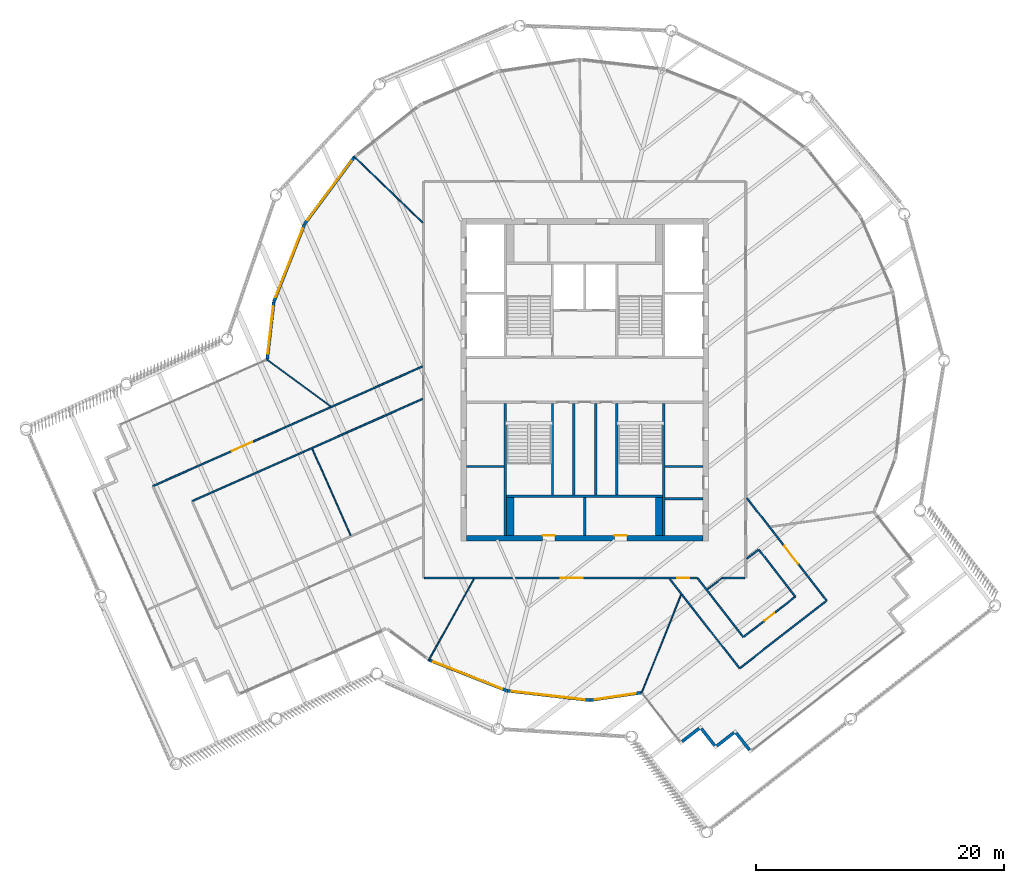
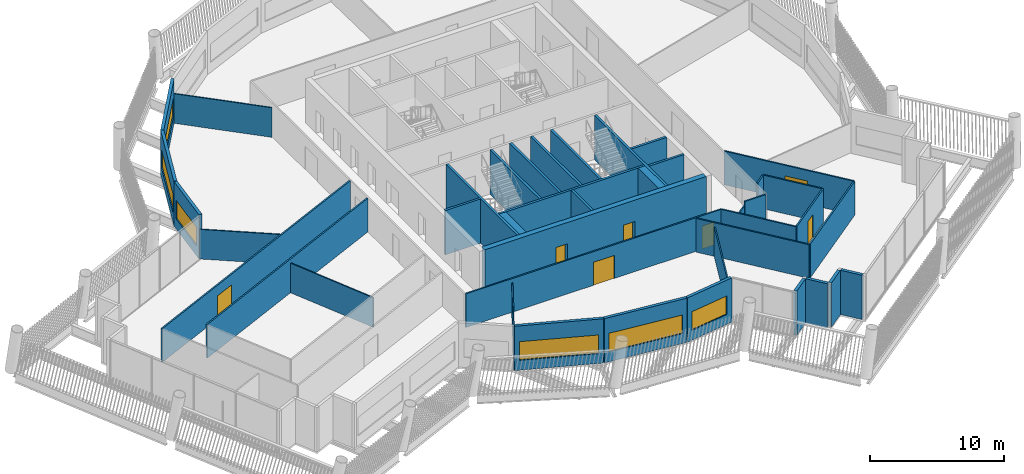
# One storey, part 17 of 28: 41 walls, 7 doors, 6 windows, 13 openings.
"""IFC4 building model written with IfcOpenShell, lengths in metres."""

from ifc_helpers import new_model, si_unit, direction, frame, frame_2d, origin, place, context, subcontext, project, spatial, rectangle, extrude, material, layer, layer_set, type_object, element, fill, save


model = new_model("IFC4")

# Units and contexts
model_context = context("Model", 3, precision=1e-05, world=origin(), true_north=direction((0.0, 1.0)))
body_context = subcontext(model_context, "Body", "Model", "MODEL_VIEW")
ifc_project = project(units=[si_unit("LENGTHUNIT", "METRE"), si_unit("AREAUNIT", "SQUARE_METRE"), si_unit("VOLUMEUNIT", "CUBIC_METRE"), si_unit("PLANEANGLEUNIT", "RADIAN"), si_unit("MASSUNIT", "GRAM", prefix="KILO")], contexts=[model_context])

# Site, building, storey
site_placement = place(None, origin())
site = spatial("IfcSite", under=ifc_project, at=site_placement, CompositionType="ELEMENT")
building_placement = place(site_placement, origin())
building = spatial("IfcBuilding", under=site, at=building_placement, Name="Tarsis Ring Headquarters", CompositionType="ELEMENT")
storey_placement = place(building_placement, frame((0.0, 0.0, 381.800048828125)))
storey = spatial("IfcBuildingStorey", under=building, at=storey_placement, Name="L90", CompositionType="ELEMENT", Elevation=381.800048828125)

# Walls
ifc_material_1 = material(Name="Blockwork", Category="masonry")
ifc_layer_1 = layer(ifc_material_1, 0.199951171875)
ifc_layer_set_1 = layer_set([ifc_layer_1], Name="Core blockwork wall 200")
wall_type_1 = type_object("IfcWallType", Name="Core blockwork wall 200", PredefinedType="PARTITIONING", material=ifc_layer_set_1)
for number, where, z_axis, x_axis, name in (
    (1, (-9.550048828125, -7.0, 0.0), (0.0, 0.0, 1.0), (1.0, 0.0, 0.0), "Core partition WD2"),
    (2, (6.5, -9.60009765625, 0.0), (0.0, 0.0, 1.0), (1.0, 0.0, 0.0), "Core partition ED1"),
    (3, (6.5, -7.0, 0.0), (0.0, 0.0, 1.0), (1.0, 0.0, 0.0), "Core partition ED2"),
    (4, (0.0, -12.550048828125, 0.0), (0.0, 0.0, 1.0), (0.0, 1.0, 0.0), "Core partition SD2"),
):
    element("IfcWall", number, at=place(storey_placement, frame(where, z_axis=z_axis, x_axis=x_axis)), inside=storey, type_object=wall_type_1, Name=name, PredefinedType="PARTITIONING", context=body_context, shape_type="SweptSolid", body=[
        extrude(rectangle(XDim=3.050048828125, YDim=0.199951171875, at=frame_2d((1.52490234375, 0.0))), origin(), (0.0, 0.0, 1.0), 4.0400390625),
    ])
for number, where, z_axis, x_axis, name in (
    (5, (-0.89990234375, -9.300048828125, 0.0), (0.0, 0.0, 1.0), (0.0, 1.0, 0.0), "Core partition SV1"),
    (6, (0.89990234375, -9.300048828125, 0.0), (0.0, 0.0, 1.0), (0.0, 1.0, 0.0), "Core partition SV2"),
):
    element("IfcWall", number, at=place(storey_placement, frame(where, z_axis=z_axis, x_axis=x_axis)), inside=storey, type_object=wall_type_1, Name=name, PredefinedType="PARTITIONING", context=body_context, shape_type="SweptSolid", body=[
        extrude(rectangle(XDim=7.400146484375, YDim=0.199951171875, at=frame_2d((3.7001953125, 0.0))), origin(), (0.0, 0.0, 1.0), 4.0400390625),
    ])

# Wall, openings, doors
ifc_material_2 = material(Name="Concrete C50/60", Category="concrete")
ifc_layer_2 = layer(ifc_material_2, 0.449951171875)
ifc_layer_set_2 = layer_set([ifc_layer_2], Name="Core wall 450 C50/60")
wall_type_2 = type_object("IfcWallType", Name="Core wall 450 C50/60", PredefinedType="SHEAR", material=ifc_layer_set_2)
wall_1_placement = place(storey_placement, frame((-9.550048828125, -12.77490234375, 0.0), z_axis=(0.0, 0.0, 1.0), x_axis=(1.0, 0.0, 0.0)))
wall_1 = element("IfcWall", 7, at=wall_1_placement, inside=storey, type_object=wall_type_2, Name="Core wall OS", PredefinedType="SHEAR", context=body_context, shape_type="SweptSolid", body=[
    extrude(rectangle(XDim=19.10009765625, YDim=0.449951171875, at=frame_2d((9.550048828125, 0.0))), origin(), (0.0, 0.0, 1.0), 4.0400390625),
])
opening_1_placement = place(wall_1_placement, frame((6.14990234375, 0.0, 0.0)))
opening_1 = element("IfcOpeningElement", 8, at=opening_1_placement, cuts=wall_1, Name="Opening L90-C18", PredefinedType="OPENING", context=body_context, shape_type="SweptSolid", body=[
    extrude(rectangle(XDim=1.0, YDim=2.10009765625, at=frame_2d((0.5, 1.050048828125))), frame((0.0, 0.23486328125, 0.0), z_axis=(0.0, -1.0, 0.0), x_axis=(1.0, 0.0, 0.0)), (0.0, 0.0, 1.0), 0.469970703125),
])
opening_2_placement = place(wall_1_placement, frame((11.949951171875, 0.0, 0.0)))
opening_2 = element("IfcOpeningElement", 9, at=opening_2_placement, cuts=wall_1, Name="Opening L90-C19", PredefinedType="OPENING", context=body_context, shape_type="SweptSolid", body=[
    extrude(rectangle(XDim=1.0, YDim=2.10009765625, at=frame_2d((0.5, 1.050048828125))), frame((0.0, 0.23486328125, 0.0), z_axis=(0.0, -1.0, 0.0), x_axis=(1.0, 0.0, 0.0)), (0.0, 0.0, 1.0), 0.469970703125),
])
ifc_material_3 = material(Name="Steel S355", Category="steel")
door_type_1 = type_object("IfcDoorType", Name="Core room door 1000x2100", OperationType="SINGLE_SWING_LEFT", PredefinedType="DOOR", material=ifc_material_3)
door_1_placement = place(opening_1_placement, origin())
door_1 = element("IfcDoor", 10, at=door_1_placement, inside=storey, type_object=door_type_1, Name="Core room door L90", OperationType="SINGLE_SWING_LEFT", OverallHeight=2.10009765625, OverallWidth=1.0, PredefinedType="DOOR", context=body_context, shape_type="SweptSolid", body=[
    extrude(rectangle(XDim=1.0, YDim=2.10009765625, at=frame_2d((0.5, 1.050048828125))), frame((0.0, 0.22509765625, 0.0), z_axis=(0.0, -1.0, 0.0), x_axis=(1.0, 0.0, 0.0)), (0.0, 0.0, 1.0), 0.050048828125),
])
fill(opening_1, door_1)
door_2_placement = place(opening_2_placement, origin())
door_2 = element("IfcDoor", 11, at=door_2_placement, inside=storey, type_object=door_type_1, Name="Core room door L90", OperationType="SINGLE_SWING_LEFT", OverallHeight=2.10009765625, OverallWidth=1.0, PredefinedType="DOOR", context=body_context, shape_type="SweptSolid", body=[
    extrude(rectangle(XDim=1.0, YDim=2.10009765625, at=frame_2d((0.5, 1.050048828125))), frame((0.0, 0.22509765625, 0.0), z_axis=(0.0, -1.0, 0.0), x_axis=(1.0, 0.0, 0.0)), (0.0, 0.0, 1.0), 0.050048828125),
])
fill(opening_2, door_2)

# Walls
ifc_material_4 = material(Name="Gypsum board on steel studs", Category="steel")
ifc_layer_3 = layer(ifc_material_4, 0.10009765625)
ifc_layer_set_3 = layer_set([ifc_layer_3], Name="FL partition 100 unrated")
wall_type_3 = type_object("IfcWallType", Name="FL partition 100 unrated", PredefinedType="PARTITIONING", material=ifc_layer_set_3)
wall_2_placement = place(storey_placement, frame((4.592041015625, -25.29833984375, 0.0), z_axis=(0.0, 0.0, 1.0), x_axis=(0.371848537567, 0.928293415418, 0.0)))
element("IfcWall", 12, at=wall_2_placement, inside=storey, type_object=wall_type_3, Name="Partition PW3", PredefinedType="PARTITIONING", context=body_context, shape_type="SweptSolid", body=[
    extrude(rectangle(XDim=8.549072265625, YDim=0.10009765625, at=frame_2d((4.2744140625, 0.0))), origin(), (0.0, 0.0, 1.0), 2.699951171875),
])
wall_3_placement = place(storey_placement, frame((-21.98828125, -5.57421875, 0.0), z_axis=(0.0, 0.0, 1.0), x_axis=(0.405450485669, -0.914117007648, 0.0)))
element("IfcWall", 13, at=wall_3_placement, inside=storey, type_object=wall_type_3, Name="Partition PW3", PredefinedType="PARTITIONING", context=body_context, shape_type="SweptSolid", body=[
    extrude(rectangle(XDim=7.64013671875, YDim=0.10009765625, at=frame_2d((3.820068359375, 0.0))), origin(), (0.0, 0.0, 1.0), 2.699951171875),
])
wall_4_placement = place(storey_placement, frame((-18.64013671875, 18.05078125, 0.0), z_axis=(0.0, 0.0, 1.0), x_axis=(0.718383719553, -0.695647059565, 0.0)))
element("IfcWall", 14, at=wall_4_placement, inside=storey, type_object=wall_type_3, Name="Partition PW3", PredefinedType="PARTITIONING", context=body_context, shape_type="SweptSolid", body=[
    extrude(rectangle(XDim=7.731201171875, YDim=0.10009765625, at=frame_2d((3.86572265625, 0.0))), origin(), (0.0, 0.0, 1.0), 2.699951171875),
])
wall_5_placement = place(storey_placement, frame((-12.611328125, -22.677001953125, 0.0), z_axis=(0.0, 0.0, 1.0), x_axis=(0.486013533932, 0.873951282873, 0.0)))
element("IfcWall", 15, at=wall_5_placement, inside=storey, type_object=wall_type_3, Name="Partition PW3", PredefinedType="PARTITIONING", context=body_context, shape_type="SweptSolid", body=[
    extrude(rectangle(XDim=7.550048828125, YDim=0.10009765625, at=frame_2d((3.77490234375, 0.0))), origin(), (0.0, 0.0, 1.0), 2.699951171875),
])
wall_6_placement = place(storey_placement, frame((-25.679443359375, 1.655029296875, 0.0), z_axis=(0.0, 0.0, 1.0), x_axis=(0.805627982355, -0.592421770402, 0.0)))
element("IfcWall", 16, at=wall_6_placement, inside=storey, type_object=wall_type_3, Name="Partition PW3", PredefinedType="PARTITIONING", context=body_context, shape_type="SweptSolid", body=[
    extrude(rectangle(XDim=6.398681640625, YDim=0.10009765625, at=frame_2d((3.19921875, 0.0))), origin(), (0.0, 0.0, 1.0), 2.699951171875),
])
wall_7_placement = place(storey_placement, frame((9.90380859375, -16.92724609375, 0.0), z_axis=(0.0, 0.0, 1.0), x_axis=(0.788912355521, 0.614505732525, 0.0)))
element("IfcWall", 17, at=wall_7_placement, inside=storey, type_object=wall_type_3, Name="Partition PW3", PredefinedType="PARTITIONING", context=body_context, shape_type="SweptSolid", body=[
    extrude(rectangle(XDim=1.4951171875, YDim=0.10009765625, at=frame_2d((0.74755859375, 0.0))), origin(), (0.0, 0.0, 1.0), 2.699951171875),
])

# Wall, opening, door
ifc_layer_4 = layer(ifc_material_4, 0.125)
ifc_layer_set_4 = layer_set([ifc_layer_4], Name="FL partition 125 EI 60 H3070")
wall_type_4 = type_object("IfcWallType", Name="FL partition 125 EI 60 H3070", PredefinedType="PARTITIONING", material=ifc_layer_set_4)
wall_8_placement = place(storey_placement, frame((-34.85498046875, -8.5791015625, 0.0), z_axis=(0.0, 0.0, 1.0), x_axis=(0.914111826378, 0.405462167009, 0.0)))
wall_8 = element("IfcWall", 18, at=wall_8_placement, inside=storey, type_object=wall_type_4, Name="Partition PW1H307", PredefinedType="PARTITIONING", context=body_context, shape_type="SweptSolid", body=[
    extrude(rectangle(XDim=23.818359375, YDim=0.125, at=frame_2d((11.9091796875, 0.0))), origin(), (0.0, 0.0, 1.0), 3.070068359375),
])
opening_3_placement = place(wall_8_placement, frame((6.977294921875, 0.0, 0.0)))
opening_3 = element("IfcOpeningElement", 19, at=opening_3_placement, cuts=wall_8, Name="Opening D90.02", PredefinedType="OPENING", context=body_context, shape_type="SweptSolid", body=[
    extrude(rectangle(XDim=1.800048828125, YDim=2.10009765625, at=frame_2d((0.89990234375, 1.050048828125))), frame((0.0, 0.072509765625, 0.0), z_axis=(0.0, -1.0, 0.0), x_axis=(1.0, 0.0, 0.0)), (0.0, 0.0, 1.0), 0.14501953125),
])
ifc_material_5 = material(Name="Fire-rated timber door leaf in steel frame", Category="steel")
door_type_2 = type_object("IfcDoorType", Name="FL door FD60-1800", OperationType="DOUBLE_DOOR_SINGLE_SWING", PredefinedType="DOOR", material=ifc_material_5)
door_3_placement = place(opening_3_placement, origin())
door_3 = element("IfcDoor", 20, at=door_3_placement, inside=storey, type_object=door_type_2, Name="Door D90.02", OperationType="DOUBLE_DOOR_SINGLE_SWING", OverallHeight=2.10009765625, OverallWidth=1.800048828125, PredefinedType="DOOR", context=body_context, shape_type="SweptSolid", body=[
    extrude(rectangle(XDim=1.800048828125, YDim=2.10009765625, at=frame_2d((0.89990234375, 1.050048828125))), frame((0.0, 0.02490234375, 0.0), z_axis=(0.0, -1.0, 0.0), x_axis=(1.0, 0.0, 0.0)), (0.0, 0.0, 1.0), 0.050048828125),
])
fill(opening_3, door_3)

# Wall, openings, doors
wall_9_placement = place(storey_placement, frame((-12.93994140625, -16.0, 0.0), z_axis=(0.0, 0.0, 1.0), x_axis=(1.0, 0.0, 0.0)))
wall_9 = element("IfcWall", 21, at=wall_9_placement, inside=storey, type_object=wall_type_4, Name="Partition PW1H307", PredefinedType="PARTITIONING", context=body_context, shape_type="SweptSolid", body=[
    extrude(rectangle(XDim=22.03271484375, YDim=0.125, at=frame_2d((11.016357421875, 0.0))), origin(), (0.0, 0.0, 1.0), 3.070068359375),
])
opening_4_placement = place(wall_9_placement, frame((10.996337890625, 0.0, 0.0)))
opening_4 = element("IfcOpeningElement", 22, at=opening_4_placement, cuts=wall_9, Name="Opening D90.09", PredefinedType="OPENING", context=body_context, shape_type="SweptSolid", body=[
    extrude(rectangle(XDim=1.800048828125, YDim=2.10009765625, at=frame_2d((0.89990234375, 1.050048828125))), frame((0.0, 0.072509765625, 0.0), z_axis=(0.0, -1.0, 0.0), x_axis=(1.0, 0.0, 0.0)), (0.0, 0.0, 1.0), 0.14501953125),
])
opening_5_placement = place(wall_9_placement, frame((20.391845703125, 0.0, 0.0)))
opening_5 = element("IfcOpeningElement", 23, at=opening_5_placement, cuts=wall_9, Name="Opening D90.12", PredefinedType="OPENING", context=body_context, shape_type="SweptSolid", body=[
    extrude(rectangle(XDim=1.0, YDim=2.10009765625, at=frame_2d((0.5, 1.050048828125))), frame((0.0, 0.072509765625, 0.0), z_axis=(0.0, -1.0, 0.0), x_axis=(1.0, 0.0, 0.0)), (0.0, 0.0, 1.0), 0.14501953125),
])
door_type_3 = type_object("IfcDoorType", Name="FL door FD60-1000", OperationType="NOTDEFINED", PredefinedType="DOOR", material=ifc_material_5)
door_4_placement = place(opening_5_placement, origin())
door_4 = element("IfcDoor", 24, at=door_4_placement, inside=storey, type_object=door_type_3, Name="Door D90.12", OperationType="SINGLE_SWING_RIGHT", OverallHeight=2.10009765625, OverallWidth=1.0, PredefinedType="DOOR", context=body_context, shape_type="SweptSolid", body=[
    extrude(rectangle(XDim=1.0, YDim=2.10009765625, at=frame_2d((0.5, 1.050048828125))), frame((0.0, 0.02490234375, 0.0), z_axis=(0.0, -1.0, 0.0), x_axis=(1.0, 0.0, 0.0)), (0.0, 0.0, 1.0), 0.050048828125),
])
fill(opening_5, door_4)
door_5_placement = place(opening_4_placement, origin())
door_5 = element("IfcDoor", 25, at=door_5_placement, inside=storey, type_object=door_type_2, Name="Door D90.09", OperationType="DOUBLE_DOOR_SINGLE_SWING", OverallHeight=2.10009765625, OverallWidth=1.800048828125, PredefinedType="DOOR", context=body_context, shape_type="SweptSolid", body=[
    extrude(rectangle(XDim=1.800048828125, YDim=2.10009765625, at=frame_2d((0.89990234375, 1.050048828125))), frame((0.0, 0.02490234375, 0.0), z_axis=(0.0, -1.0, 0.0), x_axis=(1.0, 0.0, 0.0)), (0.0, 0.0, 1.0), 0.050048828125),
])
fill(opening_4, door_5)

# Wall
wall_10_placement = place(storey_placement, frame((-31.68798828125, -9.800048828125, 0.0), z_axis=(0.0, 0.0, 1.0), x_axis=(0.914108082026, 0.405470608521, 0.0)))
element("IfcWall", 26, at=wall_10_placement, inside=storey, type_object=wall_type_4, Name="Partition PW1H307", PredefinedType="PARTITIONING", context=body_context, shape_type="SweptSolid", body=[
    extrude(rectangle(XDim=20.35400390625, YDim=0.125, at=frame_2d((10.177001953125, 0.0))), origin(), (0.0, 0.0, 1.0), 3.070068359375),
])

# Wall, opening, door
wall_11_placement = place(storey_placement, frame((13.098388671875, -9.55615234375, 0.0), z_axis=(0.0, 0.0, 1.0), x_axis=(0.614552170997, -0.78887618111, 0.0)))
wall_11 = element("IfcWall", 27, at=wall_11_placement, inside=storey, type_object=wall_type_4, Name="Partition PW1H307", PredefinedType="PARTITIONING", context=body_context, shape_type="SweptSolid", body=[
    extrude(rectangle(XDim=10.471435546875, YDim=0.125, at=frame_2d((5.23583984375, 0.0))), origin(), (0.0, 0.0, 1.0), 3.070068359375),
])
opening_6_placement = place(wall_11_placement, frame((4.911376953125, 0.0, 0.0)))
opening_6 = element("IfcOpeningElement", 28, at=opening_6_placement, cuts=wall_11, Name="Opening D90.08", PredefinedType="OPENING", context=body_context, shape_type="SweptSolid", body=[
    extrude(rectangle(XDim=1.800048828125, YDim=2.10009765625, at=frame_2d((0.89990234375, 1.050048828125))), frame((0.0, 0.072509765625, 0.0), z_axis=(0.0, -1.0, 0.0), x_axis=(1.0, 0.0, 0.0)), (0.0, 0.0, 1.0), 0.14501953125),
])
door_6_placement = place(opening_6_placement, origin())
door_6 = element("IfcDoor", 29, at=door_6_placement, inside=storey, type_object=door_type_2, Name="Door D90.08", OperationType="DOUBLE_DOOR_SINGLE_SWING", OverallHeight=2.10009765625, OverallWidth=1.800048828125, PredefinedType="DOOR", context=body_context, shape_type="SweptSolid", body=[
    extrude(rectangle(XDim=1.800048828125, YDim=2.10009765625, at=frame_2d((0.89990234375, 1.050048828125))), frame((0.0, 0.02490234375, 0.0), z_axis=(0.0, -1.0, 0.0), x_axis=(1.0, 0.0, 0.0)), (0.0, 0.0, 1.0), 0.050048828125),
])
fill(opening_6, door_6)

# Walls
wall_12_placement = place(storey_placement, frame((6.884765625, -16.0947265625, 0.0), z_axis=(0.0, 0.0, 1.0), x_axis=(0.614562298074, -0.788868291786, 0.0)))
element("IfcWall", 30, at=wall_12_placement, inside=storey, type_object=wall_type_4, Name="Partition PW1H307", PredefinedType="PARTITIONING", context=body_context, shape_type="SweptSolid", body=[
    extrude(rectangle(XDim=9.132080078125, YDim=0.125, at=frame_2d((4.56591796875, 0.0))), origin(), (0.0, 0.0, 1.0), 3.070068359375),
])
wall_13_placement = place(storey_placement, frame((12.54443359375, -23.261962890625, 0.0), z_axis=(0.0, 0.0, 1.0), x_axis=(0.788882910507, 0.614543532641, 0.0)))
element("IfcWall", 31, at=wall_13_placement, inside=storey, type_object=wall_type_4, Name="Partition PW1H307", PredefinedType="PARTITIONING", context=body_context, shape_type="SweptSolid", body=[
    extrude(rectangle(XDim=8.800048828125, YDim=0.125, at=frame_2d((4.39990234375, 0.0))), origin(), (0.0, 0.0, 1.0), 3.070068359375),
])
wall_14_placement = place(storey_placement, frame((9.1171875, -16.031494140625, 0.0), z_axis=(0.0, 0.0, 1.0), x_axis=(0.61456193141, -0.788868577433, 0.0)))
element("IfcWall", 32, at=wall_14_placement, inside=storey, type_object=wall_type_4, Name="Partition PW1H307", PredefinedType="PARTITIONING", context=body_context, shape_type="SweptSolid", body=[
    extrude(rectangle(XDim=6.01025390625, YDim=0.125, at=frame_2d((3.005126953125, 0.0))), origin(), (0.0, 0.0, 1.0), 3.070068359375),
])

# Wall, opening, door
wall_15_placement = place(storey_placement, frame((12.858154296875, -20.73583984375, 0.0), z_axis=(0.0, 0.0, 1.0), x_axis=(0.788882115975, 0.614544552571, 0.0)))
wall_15 = element("IfcWall", 33, at=wall_15_placement, inside=storey, type_object=wall_type_4, Name="Partition PW1H307", PredefinedType="PARTITIONING", context=body_context, shape_type="SweptSolid", body=[
    extrude(rectangle(XDim=5.259765625, YDim=0.125, at=frame_2d((2.6298828125, 0.0))), origin(), (0.0, 0.0, 1.0), 3.070068359375),
])
opening_7_placement = place(wall_15_placement, frame((2.10009765625, 0.0, 0.0)))
opening_7 = element("IfcOpeningElement", 34, at=opening_7_placement, cuts=wall_15, Name="Opening D90.11", PredefinedType="OPENING", context=body_context, shape_type="SweptSolid", body=[
    extrude(rectangle(XDim=1.0, YDim=2.10009765625, at=frame_2d((0.5, 1.050048828125))), frame((0.0, 0.072509765625, 0.0), z_axis=(0.0, -1.0, 0.0), x_axis=(1.0, 0.0, 0.0)), (0.0, 0.0, 1.0), 0.14501953125),
])
door_7_placement = place(opening_7_placement, origin())
door_7 = element("IfcDoor", 35, at=door_7_placement, inside=storey, type_object=door_type_3, Name="Door D90.11", OperationType="SINGLE_SWING_LEFT", OverallHeight=2.10009765625, OverallWidth=1.0, PredefinedType="DOOR", context=body_context, shape_type="SweptSolid", body=[
    extrude(rectangle(XDim=1.0, YDim=2.10009765625, at=frame_2d((0.5, 1.050048828125))), frame((0.0, 0.02490234375, 0.0), z_axis=(0.0, -1.0, 0.0), x_axis=(1.0, 0.0, 0.0)), (0.0, 0.0, 1.0), 0.050048828125),
])
fill(opening_7, door_7)

# Walls
wall_16_placement = place(storey_placement, frame((14.04833984375, -13.70458984375, 0.0), z_axis=(0.0, 0.0, 1.0), x_axis=(0.614562449664, -0.788868173691, 0.0)))
element("IfcWall", 36, at=wall_16_placement, inside=storey, type_object=wall_type_4, Name="Partition PW1H307", PredefinedType="PARTITIONING", context=body_context, shape_type="SweptSolid", body=[
    extrude(rectangle(XDim=4.755126953125, YDim=0.125, at=frame_2d((2.37744140625, 0.0))), origin(), (0.0, 0.0, 1.0), 3.070068359375),
])
wall_17_placement = place(storey_placement, frame((11.10205078125, -16.0, 0.0), z_axis=(0.0, 0.0, 1.0), x_axis=(1.0, 0.0, 0.0)))
element("IfcWall", 37, at=wall_17_placement, inside=storey, type_object=wall_type_4, Name="Partition PW1H307", PredefinedType="PARTITIONING", context=body_context, shape_type="SweptSolid", body=[
    extrude(rectangle(XDim=1.8369140625, YDim=0.125, at=frame_2d((0.91845703125, 0.0))), origin(), (0.0, 0.0, 1.0), 3.070068359375),
])
wall_18_placement = place(storey_placement, frame((13.091796875, -14.44384765625, 0.0), z_axis=(0.0, 0.0, 1.0), x_axis=(0.788848459463, 0.614587754517, 0.0)))
element("IfcWall", 38, at=wall_18_placement, inside=storey, type_object=wall_type_4, Name="Partition PW1H307", PredefinedType="PARTITIONING", context=body_context, shape_type="SweptSolid", body=[
    extrude(rectangle(XDim=1.14892578125, YDim=0.125, at=frame_2d((0.574462890625, 0.0))), origin(), (0.0, 0.0, 1.0), 3.070068359375),
])

# Wall, opening, window
ifc_material_6 = material(Name="Terracotta clad insulated panel wall", Category="masonry")
ifc_layer_5 = layer(ifc_material_6, 0.25)
ifc_layer_set_5 = layer_set([ifc_layer_5], Name="Facade wall terracotta panel 250")
wall_type_5 = type_object("IfcWallType", Name="Facade wall terracotta panel 250", PredefinedType="STANDARD", material=ifc_layer_set_5)
wall_19_placement = place(storey_placement, frame((-12.560302734375, -22.618408203125, 0.0), z_axis=(0.0, 0.0, 1.0), x_axis=(0.929907570046, -0.367793299519, 0.0)))
wall_19 = element("IfcWall", 39, at=wall_19_placement, inside=storey, type_object=wall_type_5, Name="External wall L90-03", PredefinedType="STANDARD", context=body_context, shape_type="SweptSolid", body=[
    extrude(rectangle(XDim=6.7216796875, YDim=0.25, at=frame_2d((3.36083984375, 0.0))), origin(), (0.0, 0.0, 1.0), 4.0400390625),
])
opening_8_placement = place(wall_19_placement, frame((0.3857421875, 0.0, 0.89990234375)))
opening_8 = element("IfcOpeningElement", 40, at=opening_8_placement, cuts=wall_19, Name="Opening WN07", PredefinedType="OPENING", context=body_context, shape_type="SweptSolid", body=[
    extrude(rectangle(XDim=5.949951171875, YDim=1.699951171875, at=frame_2d((2.97509765625, 0.85009765625))), frame((0.0, 0.135009765625, 0.0), z_axis=(0.0, -1.0, 0.0), x_axis=(1.0, 0.0, 0.0)), (0.0, 0.0, 1.0), 0.27001953125),
])
ifc_material_7 = material(Name="Aluminium framed double glazing", Category="aluminium")
window_type_1 = type_object("IfcWindowType", Name="Facade window 5950 x 1700", PartitioningType="SINGLE_PANEL", PredefinedType="WINDOW", material=ifc_material_7)
window_1_placement = place(opening_8_placement, origin())
window_1 = element("IfcWindow", 41, at=window_1_placement, inside=storey, type_object=window_type_1, Name="Window L90-03.1", OverallHeight=1.699951171875, OverallWidth=5.949951171875, PartitioningType="SINGLE_PANEL", PredefinedType="WINDOW", context=body_context, shape_type="SweptSolid", body=[
    extrude(rectangle(XDim=5.949951171875, YDim=1.699951171875, at=frame_2d((2.97509765625, 0.85009765625))), frame((0.0, 0.030029296875, 0.0), z_axis=(0.0, -1.0, 0.0), x_axis=(1.0, 0.0, 0.0)), (0.0, 0.0, 1.0), 0.06005859375),
])
fill(opening_8, window_1)

wall_20_placement = place(storey_placement, frame((-6.278076171875, -25.098388671875, 0.0), z_axis=(0.0, 0.0, 1.0), x_axis=(0.993412116995, -0.114596534886, 0.0)))
wall_20 = element("IfcWall", 42, at=wall_20_placement, inside=storey, type_object=wall_type_5, Name="External wall L90-04", PredefinedType="STANDARD", context=body_context, shape_type="SweptSolid", body=[
    extrude(rectangle(XDim=6.721435546875, YDim=0.25, at=frame_2d((3.36083984375, 0.0))), origin(), (0.0, 0.0, 1.0), 4.0400390625),
])
opening_9_placement = place(wall_20_placement, frame((0.3857421875, 0.0, 0.89990234375)))
opening_9 = element("IfcOpeningElement", 43, at=opening_9_placement, cuts=wall_20, Name="Opening WN07", PredefinedType="OPENING", context=body_context, shape_type="SweptSolid", body=[
    extrude(rectangle(XDim=5.949951171875, YDim=1.699951171875, at=frame_2d((2.97509765625, 0.85009765625))), frame((0.0, 0.135009765625, 0.0), z_axis=(0.0, -1.0, 0.0), x_axis=(1.0, 0.0, 0.0)), (0.0, 0.0, 1.0), 0.27001953125),
])
window_2_placement = place(opening_9_placement, origin())
window_2 = element("IfcWindow", 44, at=window_2_placement, inside=storey, type_object=window_type_1, Name="Window L90-04.1", OverallHeight=1.699951171875, OverallWidth=5.949951171875, PartitioningType="SINGLE_PANEL", PredefinedType="WINDOW", context=body_context, shape_type="SweptSolid", body=[
    extrude(rectangle(XDim=5.949951171875, YDim=1.699951171875, at=frame_2d((2.97509765625, 0.85009765625))), frame((0.0, 0.030029296875, 0.0), z_axis=(0.0, -1.0, 0.0), x_axis=(1.0, 0.0, 0.0)), (0.0, 0.0, 1.0), 0.06005859375),
])
fill(opening_9, window_2)

wall_21_placement = place(storey_placement, frame((0.431640625, -25.8681640625, 0.0), z_axis=(0.0, 0.0, 1.0), x_axis=(0.98921749385, 0.146453917195, 0.0)))
wall_21 = element("IfcWall", 45, at=wall_21_placement, inside=storey, type_object=wall_type_5, Name="External wall L90-05", PredefinedType="STANDARD", context=body_context, shape_type="SweptSolid", body=[
    extrude(rectangle(XDim=4.20263671875, YDim=0.25, at=frame_2d((2.101318359375, 0.0))), origin(), (0.0, 0.0, 1.0), 4.0400390625),
])
opening_10_placement = place(wall_21_placement, frame((0.38720703125, 0.0, 0.89990234375)))
opening_10 = element("IfcOpeningElement", 46, at=opening_10_placement, cuts=wall_21, Name="Opening WN01", PredefinedType="OPENING", context=body_context, shape_type="SweptSolid", body=[
    extrude(rectangle(XDim=3.35009765625, YDim=1.699951171875, at=frame_2d((1.675048828125, 0.85009765625))), frame((0.0, 0.135009765625, 0.0), z_axis=(0.0, -1.0, 0.0), x_axis=(1.0, 0.0, 0.0)), (0.0, 0.0, 1.0), 0.27001953125),
])
window_type_2 = type_object("IfcWindowType", Name="Facade window 3350 x 1700", PartitioningType="SINGLE_PANEL", PredefinedType="WINDOW", material=ifc_material_7)
window_3_placement = place(opening_10_placement, origin())
window_3 = element("IfcWindow", 47, at=window_3_placement, inside=storey, type_object=window_type_2, Name="Window L90-05.1", OverallHeight=1.699951171875, OverallWidth=3.35009765625, PartitioningType="SINGLE_PANEL", PredefinedType="WINDOW", context=body_context, shape_type="SweptSolid", body=[
    extrude(rectangle(XDim=3.35009765625, YDim=1.699951171875, at=frame_2d((1.675048828125, 0.85009765625))), frame((0.0, 0.030029296875, 0.0), z_axis=(0.0, -1.0, 0.0), x_axis=(1.0, 0.0, 0.0)), (0.0, 0.0, 1.0), 0.06005859375),
])
fill(opening_10, window_3)

# Walls
wall_22_placement = place(storey_placement, frame((7.861572265625, -29.2109375, 0.0), z_axis=(0.0, 0.0, 1.0), x_axis=(0.788833665481, 0.614606742725, 0.0)))
element("IfcWall", 48, at=wall_22_placement, inside=storey, type_object=wall_type_5, Name="External wall L90-07", PredefinedType="STANDARD", context=body_context, shape_type="SweptSolid", body=[
    extrude(rectangle(XDim=1.750244140625, YDim=0.25, at=frame_2d((0.875, 0.0))), origin(), (0.0, 0.0, 1.0), 4.0400390625),
])
wall_23_placement = place(storey_placement, frame((9.417724609375, -28.1572265625, 0.0), z_axis=(0.0, 0.0, 1.0), x_axis=(0.614587567403, -0.788848605243, 0.0)))
element("IfcWall", 49, at=wall_23_placement, inside=storey, type_object=wall_type_5, Name="External wall L90-08", PredefinedType="STANDARD", context=body_context, shape_type="SweptSolid", body=[
    extrude(rectangle(XDim=1.749755859375, YDim=0.25, at=frame_2d((0.875, 0.0))), origin(), (0.0, 0.0, 1.0), 4.0400390625),
])
for number, where, z_axis, x_axis, name in (
    (50, (10.66845703125, -29.559326171875, 0.0), (0.0, 0.0, 1.0), (0.788901295911, 0.614519930767, 0.0), "External wall L90-09"),
    (51, (12.224365234375, -28.505859375, 0.0), (0.0, 0.0, 1.0), (0.614674377316, -0.788780964445, 0.0), "External wall L90-10"),
):
    element("IfcWall", number, at=place(storey_placement, frame(where, z_axis=z_axis, x_axis=x_axis)), inside=storey, type_object=wall_type_5, Name=name, PredefinedType="STANDARD", context=body_context, shape_type="SweptSolid", body=[
        extrude(rectangle(XDim=1.75, YDim=0.25, at=frame_2d((0.875, 0.0))), origin(), (0.0, 0.0, 1.0), 4.0400390625),
    ])

# Wall, opening, window
wall_24_placement = place(storey_placement, frame((-18.596923828125, 17.986328125, 0.0), z_axis=(0.0, 0.0, 1.0), x_axis=(-0.595930046471, -0.803036350182, 0.0)))
wall_24 = element("IfcWall", 52, at=wall_24_placement, inside=storey, type_object=wall_type_5, Name="External wall L90-28", PredefinedType="STANDARD", context=body_context, shape_type="SweptSolid", body=[
    extrude(rectangle(XDim=6.7216796875, YDim=0.25, at=frame_2d((3.36083984375, 0.0))), origin(), (0.0, 0.0, 1.0), 4.0400390625),
])
opening_11_placement = place(wall_24_placement, frame((0.3857421875, 0.0, 0.89990234375)))
opening_11 = element("IfcOpeningElement", 53, at=opening_11_placement, cuts=wall_24, Name="Opening WN07", PredefinedType="OPENING", context=body_context, shape_type="SweptSolid", body=[
    extrude(rectangle(XDim=5.949951171875, YDim=1.699951171875, at=frame_2d((2.97509765625, 0.85009765625))), frame((0.0, 0.135009765625, 0.0), z_axis=(0.0, -1.0, 0.0), x_axis=(1.0, 0.0, 0.0)), (0.0, 0.0, 1.0), 0.27001953125),
])
window_4_placement = place(opening_11_placement, origin())
window_4 = element("IfcWindow", 54, at=window_4_placement, inside=storey, type_object=window_type_1, Name="Window L90-28.1", OverallHeight=1.699951171875, OverallWidth=5.949951171875, PartitioningType="SINGLE_PANEL", PredefinedType="WINDOW", context=body_context, shape_type="SweptSolid", body=[
    extrude(rectangle(XDim=5.949951171875, YDim=1.699951171875, at=frame_2d((2.97509765625, 0.85009765625))), frame((0.0, 0.030029296875, 0.0), z_axis=(0.0, -1.0, 0.0), x_axis=(1.0, 0.0, 0.0)), (0.0, 0.0, 1.0), 0.06005859375),
])
fill(opening_11, window_4)

wall_25_placement = place(storey_placement, frame((-22.618408203125, 12.560302734375, 0.0), z_axis=(0.0, 0.0, 1.0), x_axis=(-0.367793299519, -0.929907570046, 0.0)))
wall_25 = element("IfcWall", 55, at=wall_25_placement, inside=storey, type_object=wall_type_5, Name="External wall L90-29", PredefinedType="STANDARD", context=body_context, shape_type="SweptSolid", body=[
    extrude(rectangle(XDim=6.7216796875, YDim=0.25, at=frame_2d((3.36083984375, 0.0))), origin(), (0.0, 0.0, 1.0), 4.0400390625),
])
opening_12_placement = place(wall_25_placement, frame((0.3857421875, 0.0, 0.89990234375)))
opening_12 = element("IfcOpeningElement", 56, at=opening_12_placement, cuts=wall_25, Name="Opening WN07", PredefinedType="OPENING", context=body_context, shape_type="SweptSolid", body=[
    extrude(rectangle(XDim=5.949951171875, YDim=1.699951171875, at=frame_2d((2.97509765625, 0.85009765625))), frame((0.0, 0.135009765625, 0.0), z_axis=(0.0, -1.0, 0.0), x_axis=(1.0, 0.0, 0.0)), (0.0, 0.0, 1.0), 0.27001953125),
])
window_5_placement = place(opening_12_placement, origin())
window_5 = element("IfcWindow", 57, at=window_5_placement, inside=storey, type_object=window_type_1, Name="Window L90-29.1", OverallHeight=1.699951171875, OverallWidth=5.949951171875, PartitioningType="SINGLE_PANEL", PredefinedType="WINDOW", context=body_context, shape_type="SweptSolid", body=[
    extrude(rectangle(XDim=5.949951171875, YDim=1.699951171875, at=frame_2d((2.97509765625, 0.85009765625))), frame((0.0, 0.030029296875, 0.0), z_axis=(0.0, -1.0, 0.0), x_axis=(1.0, 0.0, 0.0)), (0.0, 0.0, 1.0), 0.06005859375),
])
fill(opening_12, window_5)

wall_26_placement = place(storey_placement, frame((-25.098388671875, 6.278076171875, 0.0), z_axis=(0.0, 0.0, 1.0), x_axis=(-0.114614171207, -0.993410082372, 0.0)))
wall_26 = element("IfcWall", 58, at=wall_26_placement, inside=storey, type_object=wall_type_5, Name="External wall L90-30", PredefinedType="STANDARD", context=body_context, shape_type="SweptSolid", body=[
    extrude(rectangle(XDim=4.662841796875, YDim=0.25, at=frame_2d((2.33154296875, 0.0))), origin(), (0.0, 0.0, 1.0), 4.0400390625),
])
opening_13_placement = place(wall_26_placement, frame((0.367431640625, 0.0, 0.89990234375)))
opening_13 = element("IfcOpeningElement", 59, at=opening_13_placement, cuts=wall_26, Name="Opening WN02", PredefinedType="OPENING", context=body_context, shape_type="SweptSolid", body=[
    extrude(rectangle(XDim=3.85009765625, YDim=1.699951171875, at=frame_2d((1.925048828125, 0.85009765625))), frame((0.0, 0.135009765625, 0.0), z_axis=(0.0, -1.0, 0.0), x_axis=(1.0, 0.0, 0.0)), (0.0, 0.0, 1.0), 0.27001953125),
])
window_type_3 = type_object("IfcWindowType", Name="Facade window 3850 x 1700", PartitioningType="SINGLE_PANEL", PredefinedType="WINDOW", material=ifc_material_7)
window_6_placement = place(opening_13_placement, origin())
window_6 = element("IfcWindow", 60, at=window_6_placement, inside=storey, type_object=window_type_3, Name="Window L90-30.1", OverallHeight=1.699951171875, OverallWidth=3.85009765625, PartitioningType="SINGLE_PANEL", PredefinedType="WINDOW", context=body_context, shape_type="SweptSolid", body=[
    extrude(rectangle(XDim=3.85009765625, YDim=1.699951171875, at=frame_2d((1.925048828125, 0.85009765625))), frame((0.0, 0.030029296875, 0.0), z_axis=(0.0, -1.0, 0.0), x_axis=(1.0, 0.0, 0.0)), (0.0, 0.0, 1.0), 0.06005859375),
])
fill(opening_13, window_6)

# Walls
ifc_material_8 = material(Name="Concrete C32/40", Category="concrete")
ifc_layer_6 = layer(ifc_material_8, 0.60009765625)
ifc_layer_set_6 = layer_set([ifc_layer_6], Name="Shaft end wall 600 C32/40")
wall_type_6 = type_object("IfcWallType", Name="Shaft end wall 600 C32/40", PredefinedType="SOLIDWALL", material=ifc_layer_set_6)
for number, where, z_axis, x_axis, name in (
    (61, (-6.0, -12.550048828125, 0.0), (0.0, 0.0, 1.0), (0.0, 1.0, 0.0), "Core shaft wall SNE1"),
    (62, (6.0, -12.550048828125, 0.0), (0.0, 0.0, 1.0), (0.0, 1.0, 0.0), "Core shaft wall SNE2"),
):
    element("IfcWall", number, at=place(storey_placement, frame(where, z_axis=z_axis, x_axis=x_axis)), inside=storey, type_object=wall_type_6, Name=name, PredefinedType="SOLIDWALL", context=body_context, shape_type="SweptSolid", body=[
        extrude(rectangle(XDim=3.050048828125, YDim=0.60009765625, at=frame_2d((1.52490234375, 0.0))), origin(), (0.0, 0.0, 1.0), 4.0400390625),
    ])
ifc_layer_7 = layer(ifc_material_8, 0.199951171875)
ifc_layer_set_7 = layer_set([ifc_layer_7], Name="Shaft wall 200 C32/40")
wall_type_7 = type_object("IfcWallType", Name="Shaft wall 200 C32/40", PredefinedType="SOLIDWALL", material=ifc_layer_set_7)
for number, where, z_axis, x_axis, name in (
    (63, (-6.39990234375, -12.550048828125, 0.0), (0.0, 0.0, 1.0), (0.0, 1.0, 0.0), "Core shaft wall WB1"),
    (64, (6.39990234375, -12.550048828125, 0.0), (0.0, 0.0, 1.0), (0.0, 1.0, 0.0), "Core shaft wall EB1"),
):
    element("IfcWall", number, at=place(storey_placement, frame(where, z_axis=z_axis, x_axis=x_axis)), inside=storey, type_object=wall_type_7, Name=name, PredefinedType="SOLIDWALL", context=body_context, shape_type="SweptSolid", body=[
        extrude(rectangle(XDim=10.650146484375, YDim=0.199951171875, at=frame_2d((5.3251953125, 0.0))), origin(), (0.0, 0.0, 1.0), 4.0400390625),
    ])
wall_27_placement = place(storey_placement, frame((-6.300048828125, -9.39990234375, 0.0), z_axis=(0.0, 0.0, 1.0), x_axis=(1.0, 0.0, 0.0)))
element("IfcWall", 65, at=wall_27_placement, inside=storey, type_object=wall_type_7, Name="Core shaft wall SB", PredefinedType="SOLIDWALL", context=body_context, shape_type="SweptSolid", body=[
    extrude(rectangle(XDim=12.60009765625, YDim=0.199951171875, at=frame_2d((6.300048828125, 0.0))), origin(), (0.0, 0.0, 1.0), 4.0400390625),
])
for number, where, z_axis, x_axis, name in (
    (66, (-2.60009765625, -9.300048828125, 0.0), (0.0, 0.0, 1.0), (0.0, 1.0, 0.0), "Core shaft wall SW3"),
    (67, (2.60009765625, -9.300048828125, 0.0), (0.0, 0.0, 1.0), (0.0, 1.0, 0.0), "Core shaft wall SW4"),
):
    element("IfcWall", number, at=place(storey_placement, frame(where, z_axis=z_axis, x_axis=x_axis)), inside=storey, type_object=wall_type_7, Name=name, PredefinedType="SOLIDWALL", context=body_context, shape_type="SweptSolid", body=[
        extrude(rectangle(XDim=7.400146484375, YDim=0.199951171875, at=frame_2d((3.7001953125, 0.0))), origin(), (0.0, 0.0, 1.0), 4.0400390625),
    ])

save(model, "model.ifc")
